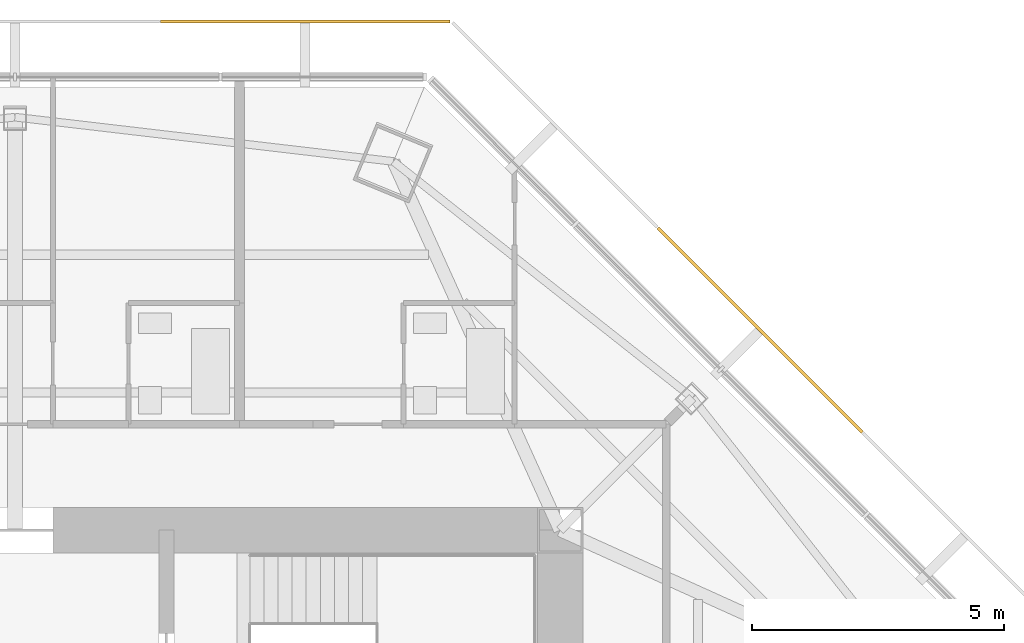
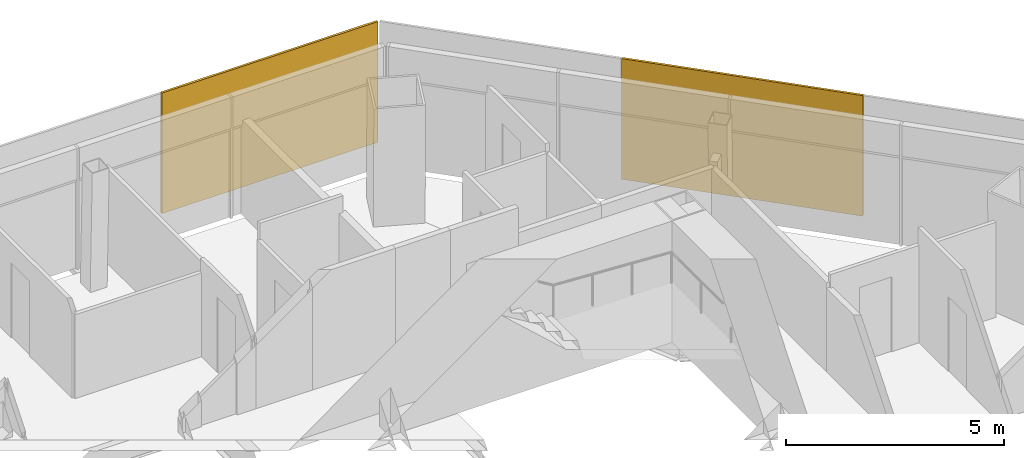
# One storey, part 14 of 15: 2 shading devices.
"""IFC4 building model written with IfcOpenShell, lengths in metres."""

from ifc_helpers import new_model, si_unit, direction, frame, origin, origin_2d, place, context, subcontext, project, spatial, rectangle, extrude, source, transform, mapped, material, layer, layer_set, type_object, type_shapes, element, save


model = new_model("IFC4")

# Units and contexts
model_context = context("Model", 3, precision=1e-05, world=origin(), true_north=direction((0.0, 1.0)))
body_context = subcontext(model_context, "Body", "Model", "MODEL_VIEW")
ifc_project = project(units=[si_unit("LENGTHUNIT", "METRE"), si_unit("AREAUNIT", "SQUARE_METRE"), si_unit("VOLUMEUNIT", "CUBIC_METRE"), si_unit("PLANEANGLEUNIT", "RADIAN"), si_unit("MASSUNIT", "GRAM", prefix="KILO")], contexts=[model_context])

# Site, building, storey
site_placement = place(None, origin())
site = spatial("IfcSite", under=ifc_project, at=site_placement, CompositionType="ELEMENT")
building_placement = place(site_placement, origin())
building = spatial("IfcBuilding", under=site, at=building_placement, Name="Mashrafa Tower", CompositionType="ELEMENT")
storey_placement = place(building_placement, frame((0.0, 0.0, 291.199951171875)))
storey = spatial("IfcBuildingStorey", under=building, at=storey_placement, Name="L71", CompositionType="ELEMENT", Elevation=291.199951171875)

# Shading devices
ifc_material = material(Name="Perforated aluminium plate, eight-point star pattern", Category="aluminium")
ifc_layer = layer(ifc_material, 0.06005859375)
ifc_layer_set = layer_set([ifc_layer], Name="Mashrabiya screen panel apartment zone 4, 22 percent open")
shading_device_type = type_object("IfcShadingDeviceType", Name="Mashrabiya screen panel apartment zone 4, 22 percent open", PredefinedType="SHUTTER", material=ifc_layer_set)
shared_shape = source(origin(), body_context, "Body", "SweptSolid", [
    extrude(rectangle(XDim=5.72998046875, YDim=0.06005859375, at=origin_2d()), origin(), (0.0, 0.0, 1.0), 3.3798828125),
])
type_shapes(shading_device_type, [shared_shape])
for number, where, z_axis, x_axis, name in (
    (1, (14.762451171875, 14.762451171875, -0.14990234375), (0.0, 0.0, 1.0), (-0.707106781187, 0.707106781187, 0.0), "Mashrabiya screen L71 north-east 2"),
    (2, (5.75, 20.877197265625, -0.14990234375), (0.0, 0.0, 1.0), (-1.0, 0.0, 0.0), "Mashrabiya screen L71 north 1"),
):
    element("IfcShadingDevice", number, at=place(storey_placement, frame(where, z_axis=z_axis, x_axis=x_axis)), inside=storey, type_object=shading_device_type, Name=name, PredefinedType="SHUTTER", context=body_context, shape_type="MappedRepresentation", body=[
        mapped(shared_shape, transform((0.0, 0.0, 0.0))),
    ])

save(model, "model.ifc")
